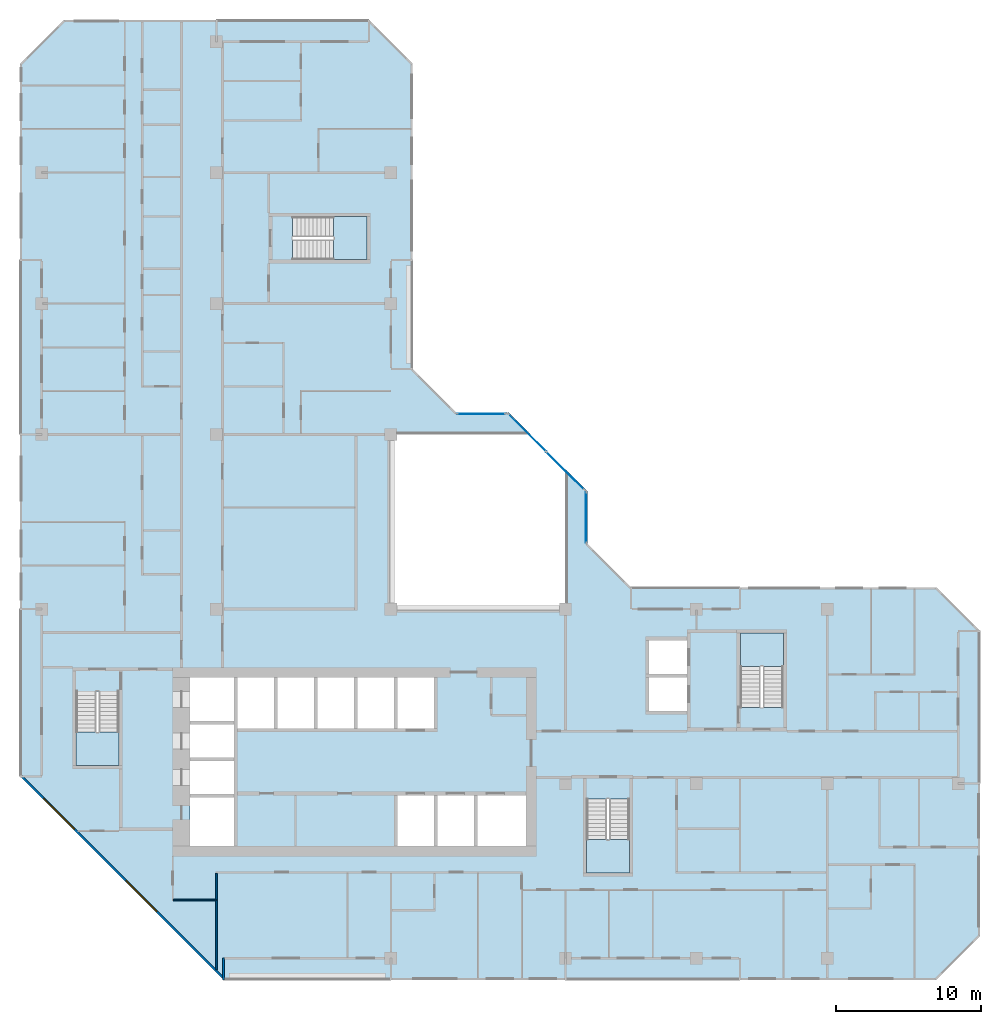
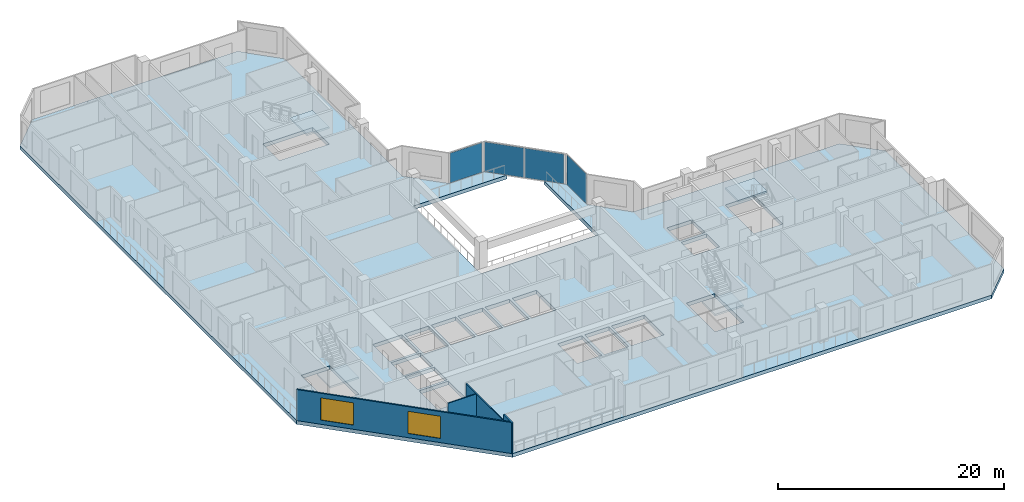
# One storey, part 3 of 14: 5 slabs, 4 plates, 4 walls, 2 windows, 2 openings, 7 elements without a shape of their own.
"""IFC4 building model written with IfcOpenShell, lengths in metres."""

import ifcopenshell
import ifcopenshell.guid

model = None  # the IFC model being written
_history = None  # IfcOwnerHistory: only IFC2X3 demands one
_inside = {}  # id of a spatial element -> (the spatial element, [elements in it])
_under = {}  # id of a project, library or spatial element -> (it, [spatial elements below it])
_declared = {}  # id of a project -> (the project, [libraries it declares])
_typed = {}  # id of a type object -> (the type object, [elements of that type])
_made_of = {}  # id of a material, layer set ... -> (it, [elements and type objects made of it])


def new_model(schema):
    """Start an empty IFC model of exactly this schema.

    Asked for "IFC4X3", IfcOpenShell would pick the latest addendum, in which some entities
    have other attributes; the version numbers below select the first issue.
    IFC2X3 requires an IfcOwnerHistory on every rooted entity: one is made here for all.
    """
    global model, _history
    if schema == "IFC4X3":
        model = ifcopenshell.file(schema_version=(4, 3, 0, 0))
    else:
        model = ifcopenshell.file(schema=schema)
    _inside.clear()
    _under.clear()
    _declared.clear()
    _typed.clear()
    _made_of.clear()
    _history = None
    if model.schema == "IFC2X3":
        org = make("IfcOrganization", Name="unknown")
        user = make(
            "IfcPersonAndOrganization",
            ThePerson=make("IfcPerson", FamilyName="unknown"),
            TheOrganization=org,
        )
        app = make(
            "IfcApplication",
            ApplicationDeveloper=org,
            Version="unknown",
            ApplicationFullName="unknown",
            ApplicationIdentifier="unknown",
        )
        _history = make(
            "IfcOwnerHistory",
            OwningUser=user,
            OwningApplication=app,
            ChangeAction="ADDED",
            CreationDate=0,
        )
    return model


def make(cls, **values):
    """One entity of the class cls with the attributes given. An attribute that is None is left unset."""
    return model.create_entity(
        cls, **{name: value for name, value in values.items() if value is not None}
    )


def rooted(cls, **values):
    """An entity with a GlobalId (a new one), such as an element, a storey or a relation."""
    return make(cls, GlobalId=ifcopenshell.guid.new(), OwnerHistory=_history, **values)


def si_unit(unit_type, name, prefix=None):
    """IfcSIUnit, for example si_unit("LENGTHUNIT", "METRE", prefix="MILLI")."""
    return make("IfcSIUnit", UnitType=unit_type, Prefix=prefix, Name=name)


def assignment(units):
    """IfcUnitAssignment: the units of a project."""
    return None if units is None else make("IfcUnitAssignment", Units=units)


def point(xyz):
    """IfcCartesianPoint."""
    return None if xyz is None else make("IfcCartesianPoint", Coordinates=xyz)


def direction(xyz):
    """IfcDirection."""
    return None if xyz is None else make("IfcDirection", DirectionRatios=xyz)


def frame(location, z_axis=None, x_axis=None):
    """IfcAxis2Placement3D, a coordinate frame: its origin and axes. An axis left out is left unset."""
    return make(
        "IfcAxis2Placement3D",
        Location=point(location),
        Axis=direction(z_axis),
        RefDirection=direction(x_axis),
    )


def frame_2d(location, x_axis=None):
    """IfcAxis2Placement2D, a coordinate frame in the plane: its origin and x axis."""
    return make(
        "IfcAxis2Placement2D", Location=point(location), RefDirection=direction(x_axis)
    )


def origin():
    """The frame at (0, 0, 0) with its axes left unset."""
    return frame((0.0, 0.0, 0.0))


def origin_2d():
    """The frame at (0, 0) in the plane with its x axis left unset."""
    return frame_2d((0.0, 0.0))


def place(relative_to, where):
    """IfcLocalPlacement: puts the frame where relative to a parent placement (None: the world)."""
    return make(
        "IfcLocalPlacement", PlacementRelTo=relative_to, RelativePlacement=where
    )


def context(
    kind, dimensions, precision=None, world=None, true_north=None, identifier=None
):
    """IfcGeometricRepresentationContext, for example the 3D "Model" context."""
    return make(
        "IfcGeometricRepresentationContext",
        ContextIdentifier=identifier,
        ContextType=kind,
        CoordinateSpaceDimension=dimensions,
        Precision=precision,
        WorldCoordinateSystem=world,
        TrueNorth=true_north,
    )


def subcontext(parent, identifier, kind, view, scale=None):
    """IfcGeometricRepresentationSubContext, for example "Body" below "Model"."""
    return make(
        "IfcGeometricRepresentationSubContext",
        ContextIdentifier=identifier,
        ContextType=kind,
        ParentContext=parent,
        TargetScale=scale,
        TargetView=view,
    )


def project(units=None, contexts=None):
    """IfcProject with its units and contexts."""
    return rooted(
        "IfcProject",
        Name="project",
        RepresentationContexts=contexts,
        UnitsInContext=assignment(units),
    )


def spatial(cls, under=None, at=None, **own):
    """A site, building, storey or space (cls), placed at a placement, below another one or the project."""
    s = rooted(cls, ObjectPlacement=at, **own)
    if under is not None:
        _under.setdefault(under.id(), (under, []))[1].append(s)
    return s


def polyline(points):
    """IfcPolyline through the points."""
    return make("IfcPolyline", Points=[point(p) for p in points])


def profile(cls, at=None, kind="AREA", **sizes):
    """A parametric profile (cls). Its sizes go by their IFC names, for example OverallWidth=200.0."""
    return make(cls, ProfileType=kind, Position=at, **sizes)


def rectangle(**sizes):
    """IfcRectangleProfileDef."""
    return profile("IfcRectangleProfileDef", **sizes)


def outline(outer, holes=None, kind="AREA"):
    """IfcArbitraryClosedProfileDef: a profile drawn as a closed curve; with holes, ...WithVoids."""
    if holes is None:
        return make("IfcArbitraryClosedProfileDef", ProfileType=kind, OuterCurve=outer)
    return make(
        "IfcArbitraryProfileDefWithVoids",
        ProfileType=kind,
        OuterCurve=outer,
        InnerCurves=holes,
    )


def extrude(swept, where, along, depth):
    """IfcExtrudedAreaSolid: the profile swept, set in the frame where, extruded along a direction by depth."""
    return make(
        "IfcExtrudedAreaSolid",
        SweptArea=swept,
        Position=where,
        ExtrudedDirection=direction(along),
        Depth=depth,
    )


def shape(context_of_items, identifier, shape_type, items):
    """IfcShapeRepresentation: the items that make up one representation, for example the "Body"."""
    return make(
        "IfcShapeRepresentation",
        ContextOfItems=context_of_items,
        RepresentationIdentifier=identifier,
        RepresentationType=shape_type,
        Items=items,
    )


def material(Name=None, Category=None):
    """IfcMaterial."""
    return make("IfcMaterial", Name=Name, Category=Category)


def layer(
    of_material, thickness, ventilated=None, Name=None, Category=None, Priority=None
):
    """IfcMaterialLayer: one layer of a wall or slab, of a material (None: an air gap)."""
    return make(
        "IfcMaterialLayer",
        Material=of_material,
        LayerThickness=thickness,
        IsVentilated=ventilated,
        Name=Name,
        Category=Category,
        Priority=Priority,
    )


def layer_set(layers, Name=None):
    """IfcMaterialLayerSet."""
    return make("IfcMaterialLayerSet", MaterialLayers=layers, LayerSetName=Name)


def made_of(thing, what):
    """Note that an element or type object is made of a material, layer set ...; save() writes the relation."""
    if what is not None:
        _made_of.setdefault(what.id(), (what, []))[1].append(thing)
    return thing


def type_object(cls, material=None, **own):
    """A type object (cls), such as IfcWallType, which elements share."""
    return made_of(rooted(cls, **own), material)


def element(
    cls,
    number,
    at=None,
    inside=None,
    cuts=None,
    type_object=None,
    material=None,
    context=None,
    identifier="Body",
    shape_type=None,
    held_by="IfcProductDefinitionShape",
    body=None,
    shapes=None,
    **own,
):
    """One element of the class cls, such as IfcWall. Its Tag is "e" and its number.

    at: its placement. inside: the storey or other place that contains it. cuts: it is an
    opening in that element (IfcRelVoidsElement). A single representation is given by context,
    identifier, shape_type and body (its items); several are given by shapes. held_by: the class
    of the entity that holds the representations. save() writes the other relations.
    """
    e = rooted(cls, Tag="e%d" % number, ObjectPlacement=at, **own)
    if body is not None:
        shapes = [shape(context, identifier, shape_type, body)]
    if shapes is not None:
        e.Representation = make(held_by, Representations=shapes)
    if inside is not None:
        _inside.setdefault(inside.id(), (inside, []))[1].append(e)
    if cuts is not None:
        rooted(
            "IfcRelVoidsElement", RelatingBuildingElement=cuts, RelatedOpeningElement=e
        )
    if type_object is not None:
        _typed.setdefault(type_object.id(), (type_object, []))[1].append(e)
    return made_of(e, material)


def fill(opening, filler):
    """IfcRelFillsElement: the door or window that sits in an opening."""
    return rooted(
        "IfcRelFillsElement",
        RelatingOpeningElement=opening,
        RelatedBuildingElement=filler,
    )


def aggregate(whole, parts):
    """IfcRelAggregates: a whole, such as a stair, and the parts it consists of."""
    return rooted("IfcRelAggregates", RelatingObject=whole, RelatedObjects=parts)


def save(model, path):
    """Write the relations noted so far, then the file.

    IfcRelAggregates (storeys below a building ...), IfcRelContainedInSpatialStructure (elements
    in a storey), IfcRelDefinesByType, IfcRelAssociatesMaterial and IfcRelDeclares: one each for
    every whole, place, type object, material and project.
    """
    for whole, parts in _under.values():
        aggregate(whole, parts)
    for where, things in _inside.values():
        rooted(
            "IfcRelContainedInSpatialStructure",
            RelatedElements=things,
            RelatingStructure=where,
        )
    for kind, things in _typed.values():
        rooted("IfcRelDefinesByType", RelatedObjects=things, RelatingType=kind)
    for what, things in _made_of.values():
        rooted("IfcRelAssociatesMaterial", RelatedObjects=things, RelatingMaterial=what)
    for by, libraries in _declared.values():
        rooted("IfcRelDeclares", RelatingContext=by, RelatedDefinitions=libraries)
    model.write(path)


model = new_model("IFC4")

# Units and contexts
model_context = context("Model", 3, precision=1e-05, world=origin(), true_north=direction((0.0, 1.0)))
body_context = subcontext(model_context, "Body", "Model", "MODEL_VIEW")
ifc_project = project(units=[si_unit("LENGTHUNIT", "METRE"), si_unit("AREAUNIT", "SQUARE_METRE"), si_unit("VOLUMEUNIT", "CUBIC_METRE"), si_unit("PLANEANGLEUNIT", "RADIAN"), si_unit("MASSUNIT", "GRAM", prefix="KILO")], contexts=[model_context])

# Site, building, storey
site_placement = place(None, origin())
site = spatial("IfcSite", under=ifc_project, at=site_placement, CompositionType="ELEMENT")
building_placement = place(site_placement, origin())
building = spatial("IfcBuilding", under=site, at=building_placement, Name="Chenar Terraces", CompositionType="ELEMENT")
storey_placement = place(building_placement, frame((0.0, 0.0, 230.39990234375)))
storey = spatial("IfcBuildingStorey", under=building, at=storey_placement, Name="L54", CompositionType="ELEMENT", Elevation=230.39990234375)

# Curtain wall, plate
ifc_material_1 = material(Name="Aluminium framed glazing", Category="aluminium")
ifc_layer_1 = layer(ifc_material_1, 0.14990234375)
ifc_layer_set_1 = layer_set([ifc_layer_1], Name="Aluminium framed glazing")
curtain_wall_type = type_object("IfcCurtainWallType", Name="Atrium mid-zone curtain wall", PredefinedType="NOTDEFINED", material=ifc_layer_set_1)
placement_1 = place(storey_placement, origin())
curtain_wall_1 = element("IfcCurtainWall", 1, at=placement_1, inside=storey, type_object=curtain_wall_type, Name="Atrium mid-zone curtain wall", PredefinedType="NOTDEFINED")
ifc_material_2 = material(Name="Low emissivity laminated glass, solar control coating", Category="glass")
ifc_layer_2 = layer(ifc_material_2, 0.031982421875)
ifc_layer_set_2 = layer_set([ifc_layer_2], Name="Low emissivity laminated glass, solar control coating")
plate_type = type_object("IfcPlateType", Name="Atrium mid-zone glazing panel 32", PredefinedType="CURTAIN_PANEL", material=ifc_layer_set_2)
plate_1_placement = place(storey_placement, frame((37.425048828125, 30.300048828125, 0.070068359375), z_axis=(0.0, 0.0, 1.0), x_axis=(0.0, 1.0, 0.0)))
plate_1 = element("IfcPlate", 2, at=plate_1_placement, type_object=plate_type, Name="CW7-1 panel 1.1", PredefinedType="CURTAIN_PANEL", context=body_context, shape_type="SweptSolid", body=[
    extrude(rectangle(XDim=3.4599609375, YDim=0.031982421875, at=origin_2d()), origin(), (0.0, 0.0, 1.0), 3.2099609375),
])
aggregate(curtain_wall_1, [plate_1])

# Curtain wall, plates
curtain_wall_2 = element("IfcCurtainWall", 3, at=placement_1, inside=storey, type_object=curtain_wall_type, Name="Atrium mid-zone curtain wall", PredefinedType="NOTDEFINED")
plate_2_placement = place(storey_placement, frame((35.978515625, 33.515380859375, 0.070068359375), z_axis=(0.0, 0.0, 1.0), x_axis=(-0.707106781187, 0.707106781187, 0.0)))
plate_2 = element("IfcPlate", 4, at=plate_2_placement, type_object=plate_type, Name="CW7-2 panel 1.1", PredefinedType="CURTAIN_PANEL", context=body_context, shape_type="SweptSolid", body=[
    extrude(rectangle(XDim=3.61328125, YDim=0.031982421875, at=origin_2d()), origin(), (0.0, 0.0, 1.0), 3.2099609375),
])
plate_3_placement = place(storey_placement, frame((33.3740234375, 36.119873046875, 0.070068359375), z_axis=(0.0, 0.0, 1.0), x_axis=(-0.707106781187, 0.707106781187, 0.0)))
plate_3 = element("IfcPlate", 5, at=plate_3_placement, type_object=plate_type, Name="CW7-2 panel 2.1", PredefinedType="CURTAIN_PANEL", context=body_context, shape_type="SweptSolid", body=[
    extrude(rectangle(XDim=3.61328125, YDim=0.031982421875, at=origin_2d()), origin(), (0.0, 0.0, 1.0), 3.2099609375),
])
aggregate(curtain_wall_2, [plate_2, plate_3])

# Curtain wall, plate
curtain_wall_3 = element("IfcCurtainWall", 6, at=placement_1, inside=storey, type_object=curtain_wall_type, Name="Atrium mid-zone curtain wall", PredefinedType="NOTDEFINED")
plate_4_placement = place(storey_placement, frame((30.199951171875, 37.425048828125, 0.070068359375), z_axis=(0.0, 0.0, 1.0), x_axis=(-1.0, 0.0, 0.0)))
plate_4 = element("IfcPlate", 7, at=plate_4_placement, type_object=plate_type, Name="CW7-3 panel 1.1", PredefinedType="CURTAIN_PANEL", context=body_context, shape_type="SweptSolid", body=[
    extrude(rectangle(XDim=3.260009765625, YDim=0.031982421875, at=origin_2d()), origin(), (0.0, 0.0, 1.0), 3.2099609375),
])
aggregate(curtain_wall_3, [plate_4])

# Stair, slab
ifc_material_3 = material(Name="Reinforced concrete C40/50", Category="concrete")
stair_type = type_object("IfcStairType", Name="Core stair 1400 half-turn", PredefinedType="HALF_TURN_STAIR", material=ifc_material_3)
stair_1 = element("IfcStair", 8, at=placement_1, inside=storey, type_object=stair_type, Name="L54 Stair 1", PredefinedType="HALF_TURN_STAIR")
ifc_material_4 = material(Name="Reinforced concrete C40/50", Category="concrete")
ifc_layer_3 = layer(ifc_material_4, 0.199951171875)
ifc_layer_set_3 = layer_set([ifc_layer_3], Name="Reinforced concrete C40/50")
slab_type_1 = type_object("IfcSlabType", Name="Core stair landing 200", PredefinedType="LANDING", material=ifc_layer_set_3)
placement_2 = place(storey_placement, frame((0.0, 0.0, 1.675048828125)))
slab_1 = element("IfcSlab", 9, at=placement_2, type_object=slab_type_1, Name="ST1 landing 1", PredefinedType="LANDING", context=body_context, shape_type="SweptSolid", body=[
    extrude(outline(polyline([(2.35009765625, 15.550048828125), (2.35009765625, 13.25), (5.300048828125, 13.25), (5.300048828125, 15.550048828125), (2.35009765625, 15.550048828125)])), origin(), (0.0, 0.0, 1.0), 0.199951171875),
])
aggregate(stair_1, [slab_1])

stair_2 = element("IfcStair", 10, at=placement_1, inside=storey, type_object=stair_type, Name="L54 Stair 2", PredefinedType="HALF_TURN_STAIR")
slab_2 = element("IfcSlab", 11, at=placement_2, type_object=slab_type_1, Name="ST2 landing 1", PredefinedType="LANDING", context=body_context, shape_type="SweptSolid", body=[
    extrude(outline(polyline([(37.449951171875, 8.14990234375), (37.449951171875, 5.85009765625), (40.39990234375, 5.85009765625), (40.39990234375, 8.14990234375), (37.449951171875, 8.14990234375)])), origin(), (0.0, 0.0, 1.0), 0.199951171875),
])
aggregate(stair_2, [slab_2])

stair_3 = element("IfcStair", 12, at=placement_1, inside=storey, type_object=stair_type, Name="L54 Stair 3", PredefinedType="HALF_TURN_STAIR")
slab_3 = element("IfcSlab", 13, at=placement_2, type_object=slab_type_1, Name="ST3 landing 1", PredefinedType="LANDING", context=body_context, shape_type="SweptSolid", body=[
    extrude(outline(polyline([(50.97509765625, 20.050048828125), (50.97509765625, 22.35009765625), (48.02490234375, 22.35009765625), (48.02490234375, 20.050048828125), (50.97509765625, 20.050048828125)])), origin(), (0.0, 0.0, 1.0), 0.199951171875),
])
aggregate(stair_3, [slab_3])

stair_4 = element("IfcStair", 14, at=placement_1, inside=storey, type_object=stair_type, Name="L54 Stair 4", PredefinedType="HALF_TURN_STAIR")
slab_4 = element("IfcSlab", 15, at=placement_2, type_object=slab_type_1, Name="ST4 landing 1", PredefinedType="LANDING", context=body_context, shape_type="SweptSolid", body=[
    extrude(outline(polyline([(20.050048828125, 48.02490234375), (22.35009765625, 48.02490234375), (22.35009765625, 50.97509765625), (20.050048828125, 50.97509765625), (20.050048828125, 48.02490234375)])), origin(), (0.0, 0.0, 1.0), 0.199951171875),
])
aggregate(stair_4, [slab_4])

# Slab
ifc_material_5 = material(Name="Concrete C40/50", Category="concrete")
ifc_layer_4 = layer(ifc_material_5, 0.39990234375)
ifc_layer_set_4 = layer_set([ifc_layer_4], Name="Concrete C40/50")
slab_type_2 = type_object("IfcSlabType", Name="Floor slab 400 Concrete C40/50", PredefinedType="FLOOR", material=ifc_layer_set_4)
slab_5_placement = place(storey_placement, frame((0.0, 0.0, -0.39990234375)))
element("IfcSlab", 16, at=slab_5_placement, inside=storey, type_object=slab_type_2, Name="Floor slab L54", PredefinedType="FLOOR", context=body_context, shape_type="SweptSolid", body=[
    extrude(outline(polyline([(64.5, 22.5), (64.5, 1.5), (61.5, -1.5), (12.5, -1.5), (-1.5, 12.5), (-1.5, 61.5), (1.5, 64.5), (22.5, 64.5), (25.5, 61.5), (25.5, 40.5), (28.5, 37.5), (32.10009765625, 37.5), (33.60009765625, 36.0), (24.0, 36.0), (24.0, 24.0), (36.0, 24.0), (36.0, 33.60009765625), (37.5, 32.10009765625), (37.5, 28.5), (40.5, 25.5), (61.5, 25.5), (64.5, 22.5)]), holes=[polyline([(13.199951171875, 11.050048828125), (10.199951171875, 11.050048828125), (10.199951171875, 7.699951171875), (13.199951171875, 7.699951171875), (13.199951171875, 11.050048828125)]), polyline([(13.199951171875, 13.550048828125), (10.199951171875, 13.550048828125), (10.199951171875, 11.300048828125), (13.199951171875, 11.300048828125), (13.199951171875, 13.550048828125)]), polyline([(13.199951171875, 16.050048828125), (10.199951171875, 16.050048828125), (10.199951171875, 13.800048828125), (13.199951171875, 13.800048828125), (13.199951171875, 16.050048828125)]), polyline([(2.35009765625, 13.25), (5.300048828125, 13.25), (5.300048828125, 18.35009765625), (2.35009765625, 18.35009765625), (2.35009765625, 13.25)]), polyline([(15.949951171875, 19.300048828125), (13.449951171875, 19.300048828125), (13.449951171875, 15.800048828125), (15.949951171875, 15.800048828125), (15.949951171875, 19.300048828125)]), polyline([(18.699951171875, 19.300048828125), (16.199951171875, 19.300048828125), (16.199951171875, 15.800048828125), (18.699951171875, 15.800048828125), (18.699951171875, 19.300048828125)]), polyline([(21.449951171875, 19.300048828125), (18.949951171875, 19.300048828125), (18.949951171875, 15.800048828125), (21.449951171875, 15.800048828125), (21.449951171875, 19.300048828125)]), polyline([(24.199951171875, 15.800048828125), (24.199951171875, 19.300048828125), (21.699951171875, 19.300048828125), (21.699951171875, 15.800048828125), (24.199951171875, 15.800048828125)]), polyline([(13.199951171875, 16.300048828125), (13.199951171875, 19.300048828125), (10.199951171875, 19.300048828125), (10.199951171875, 16.300048828125), (13.199951171875, 16.300048828125)]), polyline([(22.35009765625, 48.02490234375), (22.35009765625, 50.97509765625), (17.25, 50.97509765625), (17.25, 48.02490234375), (22.35009765625, 48.02490234375)]), polyline([(37.449951171875, 5.85009765625), (40.39990234375, 5.85009765625), (40.39990234375, 10.949951171875), (37.449951171875, 10.949951171875), (37.449951171875, 5.85009765625)]), polyline([(26.949951171875, 11.199951171875), (24.449951171875, 11.199951171875), (24.449951171875, 7.699951171875), (26.949951171875, 7.699951171875), (26.949951171875, 11.199951171875)]), polyline([(29.699951171875, 7.699951171875), (29.699951171875, 11.199951171875), (27.199951171875, 11.199951171875), (27.199951171875, 7.699951171875), (29.699951171875, 7.699951171875)]), polyline([(33.300048828125, 7.699951171875), (33.300048828125, 11.199951171875), (29.949951171875, 11.199951171875), (29.949951171875, 7.699951171875), (33.300048828125, 7.699951171875)]), polyline([(26.949951171875, 19.300048828125), (24.449951171875, 19.300048828125), (24.449951171875, 15.800048828125), (26.949951171875, 15.800048828125), (26.949951171875, 19.300048828125)]), polyline([(44.35009765625, 19.300048828125), (41.75, 19.300048828125), (41.75, 17.0), (44.35009765625, 17.0), (44.35009765625, 19.300048828125)]), polyline([(50.97509765625, 22.35009765625), (48.02490234375, 22.35009765625), (48.02490234375, 17.25), (50.97509765625, 17.25), (50.97509765625, 22.35009765625)]), polyline([(44.35009765625, 19.550048828125), (44.35009765625, 21.85009765625), (41.75, 21.85009765625), (41.75, 19.550048828125), (44.35009765625, 19.550048828125)])]), origin(), (0.0, 0.0, 1.0), 0.39990234375),
])

# Walls
ifc_material_6 = material(Name="Gypsum board on steel studs", Category="steel")
ifc_layer_5 = layer(ifc_material_6, 0.10009765625)
ifc_layer_set_5 = layer_set([ifc_layer_5], Name="Gypsum board on steel studs")
wall_type_1 = type_object("IfcWallType", Name="Gypsum partition 100", PredefinedType="PARTITIONING", material=ifc_layer_set_5)
wall_1_placement = place(storey_placement, frame((9.050048828125, 4.0, 0.0), z_axis=(0.0, 0.0, 1.0), x_axis=(1.0, 0.0, 0.0)))
element("IfcWall", 17, at=wall_1_placement, inside=storey, type_object=wall_type_1, Name="Partition L54-028", PredefinedType="PARTITIONING", context=body_context, shape_type="SweptSolid", body=[
    extrude(rectangle(XDim=2.89990234375, YDim=0.10009765625, at=frame_2d((1.449951171875, 0.0))), origin(), (0.0, 0.0, 1.0), 3.35009765625),
])
wall_2_placement = place(storey_placement, frame((12.0, -0.787841796875, 0.0), z_axis=(0.0, 0.0, 1.0), x_axis=(0.0, 1.0, 0.0)))
element("IfcWall", 18, at=wall_2_placement, inside=storey, type_object=wall_type_1, Name="Partition L54-031", PredefinedType="PARTITIONING", context=body_context, shape_type="SweptSolid", body=[
    extrude(rectangle(XDim=6.61279296875, YDim=0.10009765625, at=frame_2d((3.306396484375, 0.0))), origin(), (0.0, 0.0, 1.0), 3.35009765625),
])
ifc_material_7 = material(Name="Terracotta cladding on insulated backing", Category="masonry")
ifc_layer_6 = layer(ifc_material_7, 0.14990234375)
ifc_layer_set_6 = layer_set([ifc_layer_6], Name="Terracotta cladding on insulated backing")
wall_type_2 = type_object("IfcWallType", Name="Loggia return wall 150", PredefinedType="SOLIDWALL", material=ifc_layer_set_6)
wall_3_placement = place(storey_placement, frame((12.5, -1.5, 0.0), z_axis=(0.0, 0.0, 1.0), x_axis=(0.0, 1.0, 0.0)))
element("IfcWall", 19, at=wall_3_placement, inside=storey, type_object=wall_type_2, Name="Loggia return wall", PredefinedType="SOLIDWALL", context=body_context, shape_type="SweptSolid", body=[
    extrude(rectangle(XDim=1.5, YDim=0.14990234375, at=frame_2d((0.75, 0.0))), origin(), (0.0, 0.0, 1.0), 3.35009765625),
])

# Wall, openings, windows
ifc_material_8 = material(Name="Terracotta cladding on insulated backing", Category="masonry")
ifc_layer_7 = layer(ifc_material_8, 0.14990234375)
ifc_layer_set_7 = layer_set([ifc_layer_7], Name="Terracotta cladding on insulated backing")
wall_type_3 = type_object("IfcWallType", Name="Terracotta rainscreen wall 150", PredefinedType="SOLIDWALL", material=ifc_layer_set_7)
wall_4_placement = place(storey_placement, frame((-1.447021484375, 12.552978515625, 0.0), z_axis=(0.0, 0.0, 1.0), x_axis=(0.707106781187, -0.707106781187, 0.0)))
wall_4 = element("IfcWall", 20, at=wall_4_placement, inside=storey, type_object=wall_type_3, Name="Terracotta rainscreen wall", PredefinedType="SOLIDWALL", context=body_context, shape_type="SweptSolid", body=[
    extrude(rectangle(XDim=19.799072265625, YDim=0.14990234375, at=frame_2d((9.8994140625, 0.0))), origin(), (0.0, 0.0, 1.0), 3.35009765625),
])
opening_1_placement = place(wall_4_placement, frame((2.21240234375, 0.0, 0.449951171875)))
opening_1 = element("IfcOpeningElement", 21, at=opening_1_placement, cuts=wall_4, Name="Opening W300x240", PredefinedType="OPENING", context=body_context, shape_type="SweptSolid", body=[
    extrude(rectangle(XDim=3.0, YDim=2.39990234375, at=frame_2d((1.5, 1.199951171875))), frame((0.0, 0.0849609375, 0.0), z_axis=(0.0, -1.0, 0.0), x_axis=(1.0, 0.0, 0.0)), (0.0, 0.0, 1.0), 0.169921875),
])
opening_2_placement = place(wall_4_placement, frame((10.215576171875, 0.0, 0.449951171875)))
opening_2 = element("IfcOpeningElement", 22, at=opening_2_placement, cuts=wall_4, Name="Opening W300x240", PredefinedType="OPENING", context=body_context, shape_type="SweptSolid", body=[
    extrude(rectangle(XDim=3.0, YDim=2.39990234375, at=frame_2d((1.5, 1.199951171875))), frame((0.0, 0.0849609375, 0.0), z_axis=(0.0, -1.0, 0.0), x_axis=(1.0, 0.0, 0.0)), (0.0, 0.0, 1.0), 0.169921875),
])
ifc_material_9 = material(Name="Low emissivity double glazing, aluminium frame", Category="aluminium")
window_type = type_object("IfcWindowType", Name="Fixed light 3000 x 2400", PartitioningType="SINGLE_PANEL", PredefinedType="WINDOW", material=ifc_material_9)
window_1_placement = place(opening_1_placement, origin())
window_1 = element("IfcWindow", 23, at=window_1_placement, inside=storey, type_object=window_type, Name="Window", OverallHeight=2.39990234375, OverallWidth=3.0, PartitioningType="SINGLE_PANEL", PredefinedType="WINDOW", context=body_context, shape_type="SweptSolid", body=[
    extrude(rectangle(XDim=3.0, YDim=2.39990234375, at=frame_2d((1.5, 1.199951171875))), frame((0.0, 0.030029296875, 0.0), z_axis=(0.0, -1.0, 0.0), x_axis=(1.0, 0.0, 0.0)), (0.0, 0.0, 1.0), 0.06005859375),
])
fill(opening_1, window_1)
window_2_placement = place(opening_2_placement, origin())
window_2 = element("IfcWindow", 24, at=window_2_placement, inside=storey, type_object=window_type, Name="Window", OverallHeight=2.39990234375, OverallWidth=3.0, PartitioningType="SINGLE_PANEL", PredefinedType="WINDOW", context=body_context, shape_type="SweptSolid", body=[
    extrude(rectangle(XDim=3.0, YDim=2.39990234375, at=frame_2d((1.5, 1.199951171875))), frame((0.0, 0.030029296875, 0.0), z_axis=(0.0, -1.0, 0.0), x_axis=(1.0, 0.0, 0.0)), (0.0, 0.0, 1.0), 0.06005859375),
])
fill(opening_2, window_2)

save(model, "model.ifc")
